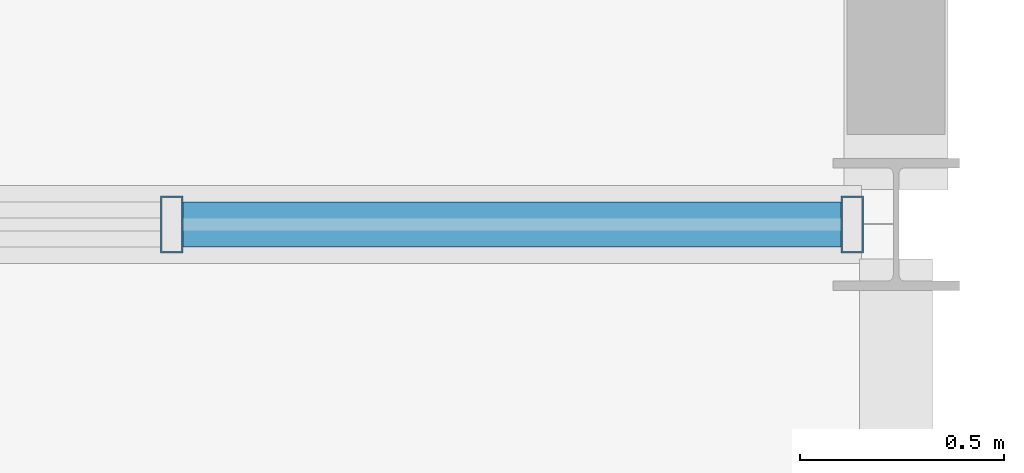
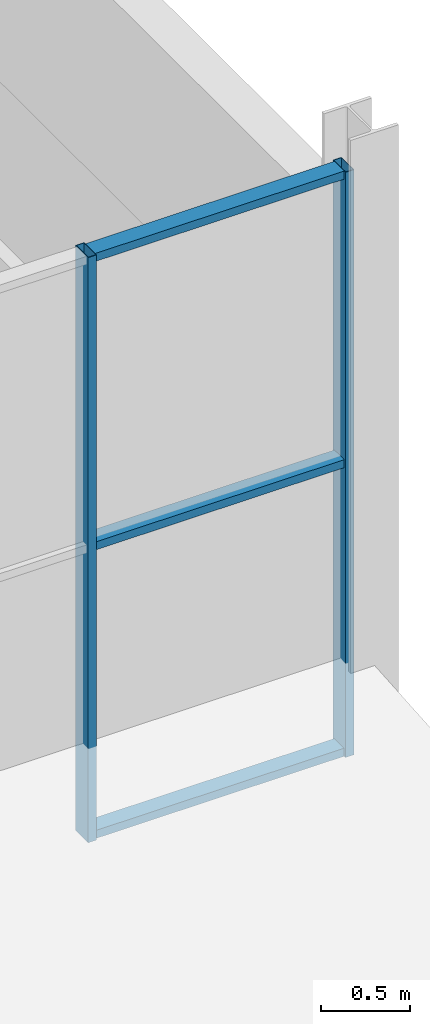
# One storey, part 191 of 324: 5 members, 1 element without a shape of its own.
"""IFC4 building model written with IfcOpenShell, lengths in metres."""

from ifc_helpers import new_model, si_unit, direction, frame, origin, origin_2d, place, context, subcontext, project, spatial, hollow_rectangle, extrude, material, layer, layer_set, material_profile, profile_set, type_object, element, aggregate, save


model = new_model("IFC4")

# Units and contexts
model_context = context("Model", 3, precision=1e-05, world=origin(), true_north=direction((0.0, 1.0)))
body_context = subcontext(model_context, "Body", "Model", "MODEL_VIEW")
ifc_project = project(units=[si_unit("LENGTHUNIT", "METRE"), si_unit("AREAUNIT", "SQUARE_METRE"), si_unit("VOLUMEUNIT", "CUBIC_METRE"), si_unit("PLANEANGLEUNIT", "RADIAN"), si_unit("MASSUNIT", "GRAM", prefix="KILO")], contexts=[model_context])

# Site, building, storey
site_placement = place(None, origin())
site = spatial("IfcSite", under=ifc_project, at=site_placement, CompositionType="ELEMENT")
building_placement = place(site_placement, origin())
building = spatial("IfcBuilding", under=site, at=building_placement, Name="Solvenia Promenade Tram Depot", CompositionType="ELEMENT")
storey_placement = place(building_placement, frame((0.0, 0.0, 4.5)))
storey = spatial("IfcBuildingStorey", under=building, at=storey_placement, Name="L01", CompositionType="ELEMENT", Elevation=4.5)

# Curtain wall, members
ifc_material = material(Name="Anodized aluminium AW-6063 T6", Category="aluminium")
ifc_layer = layer(ifc_material, 0.179931640625, Name="Anodized aluminium AW-6063 T6", Category="aluminium")
ifc_layer_set = layer_set([ifc_layer], Name="Anodized aluminium AW-6063 T6")
curtain_wall_type = type_object("IfcCurtainWallType", Name="CW-Prom-1800", PredefinedType="NOTDEFINED", material=ifc_layer_set)
curtain_wall_placement = place(storey_placement, origin())
curtain_wall = element("IfcCurtainWall", 1, at=curtain_wall_placement, inside=storey, type_object=curtain_wall_type, Name="Curtain Wall CW-V5S-L1-05", PredefinedType="NOTDEFINED")
ifc_material_profile_1 = material_profile(ifc_material, hollow_rectangle(XDim=0.139892578125, YDim=0.054931640625, WallThickness=0.00390625, at=origin_2d()), Name="ALU-M4", Category="aluminium")
ifc_profile_set_1 = profile_set([ifc_material_profile_1], Name="Anodized aluminium AW-6063 T6")
member_type_1 = type_object("IfcMemberType", Name="CWM-Mullion-4", PredefinedType="MULLION", material=ifc_profile_set_1)
member_1_placement = place(storey_placement, frame((184.228515625, 8.0, 0.0), z_axis=(0.0, 0.0, 1.0), x_axis=(0.0, 1.0, 0.0)))
member_1 = element("IfcMember", 2, at=member_1_placement, type_object=member_type_1, Name="CW-9 mullion 7", PredefinedType="MULLION", context=body_context, shape_type="SweptSolid", body=[
    extrude(hollow_rectangle(XDim=0.139892578125, YDim=0.054931640625, WallThickness=0.00390625, at=origin_2d()), origin(), (0.0, 0.0, 1.0), 4.0),
])
member_2_placement = place(storey_placement, frame((185.892578125, 8.0, 0.0), z_axis=(0.0, 0.0, 1.0), x_axis=(0.0, 1.0, 0.0)))
member_2 = element("IfcMember", 3, at=member_2_placement, type_object=member_type_1, Name="CW-9 mullion 8", PredefinedType="MULLION", context=body_context, shape_type="SweptSolid", body=[
    extrude(hollow_rectangle(XDim=0.139892578125, YDim=0.054931640625, WallThickness=0.00390625, at=origin_2d()), origin(), (0.0, 0.0, 1.0), 4.0),
])
ifc_material_profile_2 = material_profile(ifc_material, hollow_rectangle(XDim=0.110107421875, YDim=0.054931640625, WallThickness=0.00390625, at=origin_2d()), Name="ALU-T4", Category="aluminium")
ifc_profile_set_2 = profile_set([ifc_material_profile_2], Name="Anodized aluminium AW-6063 T6")
member_type_2 = type_object("IfcMemberType", Name="CWT-Transom-4", PredefinedType="USERDEFINED", material=ifc_profile_set_2)
member_3_placement = place(storey_placement, frame((184.256103515625, 8.0, 0.027587890625), z_axis=(1.0, 0.0, 0.0), x_axis=(0.0, 1.0, 0.0)))
member_3 = element("IfcMember", 4, at=member_3_placement, type_object=member_type_2, Name="CW-9 transom 7.1", ObjectType="TRANSOM", PredefinedType="USERDEFINED", context=body_context, shape_type="SweptSolid", body=[
    extrude(hollow_rectangle(XDim=0.110107421875, YDim=0.054931640625, WallThickness=0.00390625, at=origin_2d()), origin(), (0.0, 0.0, 1.0), 1.60888671875),
])
member_4_placement = place(storey_placement, frame((184.256103515625, 8.0, 2.0), z_axis=(1.0, 0.0, 0.0), x_axis=(0.0, 1.0, 0.0)))
member_4 = element("IfcMember", 5, at=member_4_placement, type_object=member_type_2, Name="CW-9 transom 7.2", ObjectType="TRANSOM", PredefinedType="USERDEFINED", context=body_context, shape_type="SweptSolid", body=[
    extrude(hollow_rectangle(XDim=0.110107421875, YDim=0.054931640625, WallThickness=0.00390625, at=origin_2d()), origin(), (0.0, 0.0, 1.0), 1.60888671875),
])
member_5_placement = place(storey_placement, frame((184.256103515625, 8.0, 3.972412109375), z_axis=(1.0, 0.0, 0.0), x_axis=(0.0, 1.0, 0.0)))
member_5 = element("IfcMember", 6, at=member_5_placement, type_object=member_type_2, Name="CW-9 transom 7.3", ObjectType="TRANSOM", PredefinedType="USERDEFINED", context=body_context, shape_type="SweptSolid", body=[
    extrude(hollow_rectangle(XDim=0.110107421875, YDim=0.054931640625, WallThickness=0.00390625, at=origin_2d()), origin(), (0.0, 0.0, 1.0), 1.60888671875),
])
aggregate(curtain_wall, [member_1, member_2, member_3, member_4, member_5])

save(model, "model.ifc")
